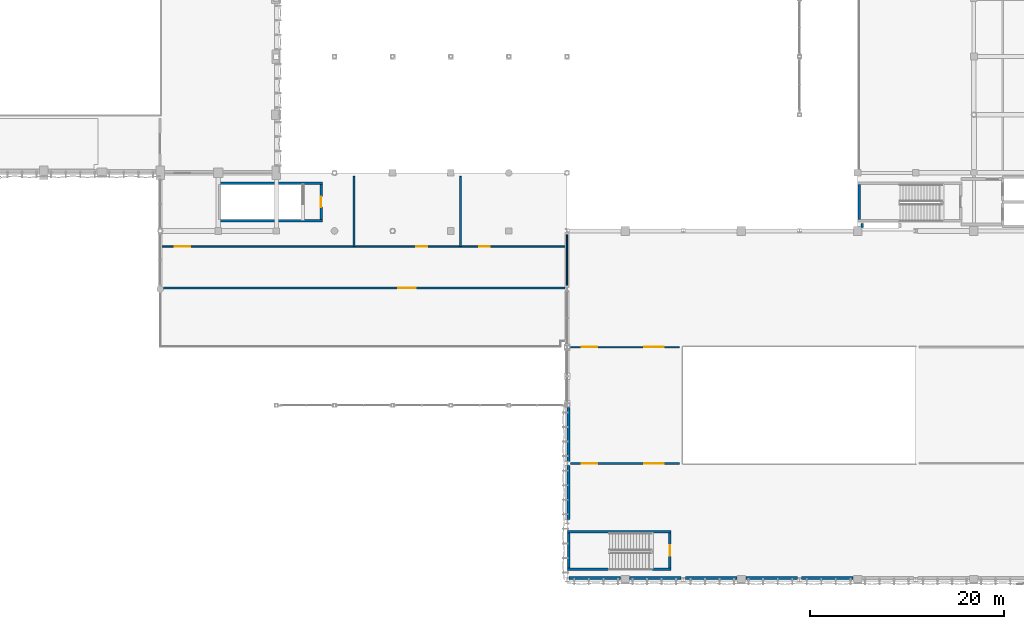
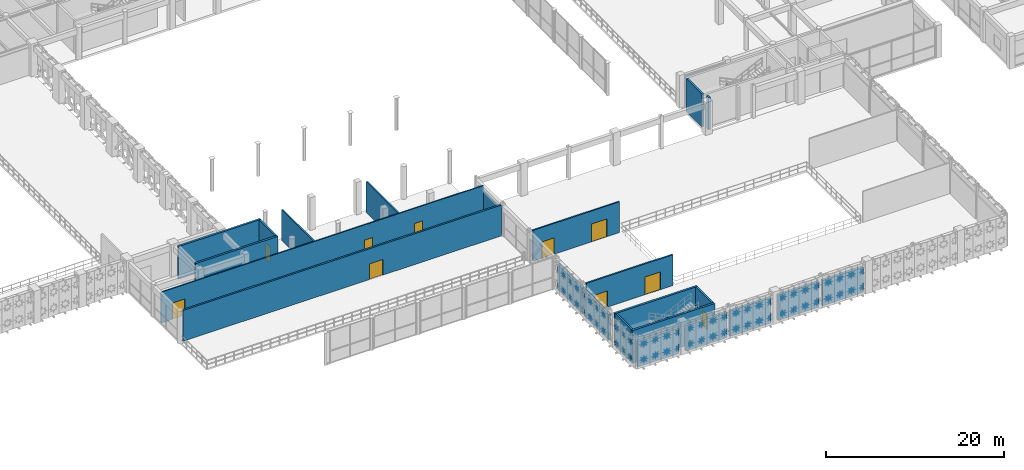
# One storey, part 88 of 116: 23 walls, 10 doors, 10 openings.
"""IFC4 building model written with IfcOpenShell, lengths in metres."""

import ifcopenshell
import ifcopenshell.guid

model = None  # the IFC model being written
_history = None  # IfcOwnerHistory: only IFC2X3 demands one
_inside = {}  # id of a spatial element -> (the spatial element, [elements in it])
_under = {}  # id of a project, library or spatial element -> (it, [spatial elements below it])
_declared = {}  # id of a project -> (the project, [libraries it declares])
_typed = {}  # id of a type object -> (the type object, [elements of that type])
_made_of = {}  # id of a material, layer set ... -> (it, [elements and type objects made of it])


def new_model(schema):
    """Start an empty IFC model of exactly this schema.

    Asked for "IFC4X3", IfcOpenShell would pick the latest addendum, in which some entities
    have other attributes; the version numbers below select the first issue.
    IFC2X3 requires an IfcOwnerHistory on every rooted entity: one is made here for all.
    """
    global model, _history
    if schema == "IFC4X3":
        model = ifcopenshell.file(schema_version=(4, 3, 0, 0))
    else:
        model = ifcopenshell.file(schema=schema)
    _inside.clear()
    _under.clear()
    _declared.clear()
    _typed.clear()
    _made_of.clear()
    _history = None
    if model.schema == "IFC2X3":
        org = make("IfcOrganization", Name="unknown")
        user = make(
            "IfcPersonAndOrganization",
            ThePerson=make("IfcPerson", FamilyName="unknown"),
            TheOrganization=org,
        )
        app = make(
            "IfcApplication",
            ApplicationDeveloper=org,
            Version="unknown",
            ApplicationFullName="unknown",
            ApplicationIdentifier="unknown",
        )
        _history = make(
            "IfcOwnerHistory",
            OwningUser=user,
            OwningApplication=app,
            ChangeAction="ADDED",
            CreationDate=0,
        )
    return model


def make(cls, **values):
    """One entity of the class cls with the attributes given. An attribute that is None is left unset."""
    return model.create_entity(
        cls, **{name: value for name, value in values.items() if value is not None}
    )


def rooted(cls, **values):
    """An entity with a GlobalId (a new one), such as an element, a storey or a relation."""
    return make(cls, GlobalId=ifcopenshell.guid.new(), OwnerHistory=_history, **values)


def si_unit(unit_type, name, prefix=None):
    """IfcSIUnit, for example si_unit("LENGTHUNIT", "METRE", prefix="MILLI")."""
    return make("IfcSIUnit", UnitType=unit_type, Prefix=prefix, Name=name)


def assignment(units):
    """IfcUnitAssignment: the units of a project."""
    return None if units is None else make("IfcUnitAssignment", Units=units)


def point(xyz):
    """IfcCartesianPoint."""
    return None if xyz is None else make("IfcCartesianPoint", Coordinates=xyz)


def direction(xyz):
    """IfcDirection."""
    return None if xyz is None else make("IfcDirection", DirectionRatios=xyz)


def frame(location, z_axis=None, x_axis=None):
    """IfcAxis2Placement3D, a coordinate frame: its origin and axes. An axis left out is left unset."""
    return make(
        "IfcAxis2Placement3D",
        Location=point(location),
        Axis=direction(z_axis),
        RefDirection=direction(x_axis),
    )


def frame_2d(location, x_axis=None):
    """IfcAxis2Placement2D, a coordinate frame in the plane: its origin and x axis."""
    return make(
        "IfcAxis2Placement2D", Location=point(location), RefDirection=direction(x_axis)
    )


def origin():
    """The frame at (0, 0, 0) with its axes left unset."""
    return frame((0.0, 0.0, 0.0))


def place(relative_to, where):
    """IfcLocalPlacement: puts the frame where relative to a parent placement (None: the world)."""
    return make(
        "IfcLocalPlacement", PlacementRelTo=relative_to, RelativePlacement=where
    )


def context(
    kind, dimensions, precision=None, world=None, true_north=None, identifier=None
):
    """IfcGeometricRepresentationContext, for example the 3D "Model" context."""
    return make(
        "IfcGeometricRepresentationContext",
        ContextIdentifier=identifier,
        ContextType=kind,
        CoordinateSpaceDimension=dimensions,
        Precision=precision,
        WorldCoordinateSystem=world,
        TrueNorth=true_north,
    )


def subcontext(parent, identifier, kind, view, scale=None):
    """IfcGeometricRepresentationSubContext, for example "Body" below "Model"."""
    return make(
        "IfcGeometricRepresentationSubContext",
        ContextIdentifier=identifier,
        ContextType=kind,
        ParentContext=parent,
        TargetScale=scale,
        TargetView=view,
    )


def project(units=None, contexts=None):
    """IfcProject with its units and contexts."""
    return rooted(
        "IfcProject",
        Name="project",
        RepresentationContexts=contexts,
        UnitsInContext=assignment(units),
    )


def spatial(cls, under=None, at=None, **own):
    """A site, building, storey or space (cls), placed at a placement, below another one or the project."""
    s = rooted(cls, ObjectPlacement=at, **own)
    if under is not None:
        _under.setdefault(under.id(), (under, []))[1].append(s)
    return s


def profile(cls, at=None, kind="AREA", **sizes):
    """A parametric profile (cls). Its sizes go by their IFC names, for example OverallWidth=200.0."""
    return make(cls, ProfileType=kind, Position=at, **sizes)


def rectangle(**sizes):
    """IfcRectangleProfileDef."""
    return profile("IfcRectangleProfileDef", **sizes)


def extrude(swept, where, along, depth):
    """IfcExtrudedAreaSolid: the profile swept, set in the frame where, extruded along a direction by depth."""
    return make(
        "IfcExtrudedAreaSolid",
        SweptArea=swept,
        Position=where,
        ExtrudedDirection=direction(along),
        Depth=depth,
    )


def shape(context_of_items, identifier, shape_type, items):
    """IfcShapeRepresentation: the items that make up one representation, for example the "Body"."""
    return make(
        "IfcShapeRepresentation",
        ContextOfItems=context_of_items,
        RepresentationIdentifier=identifier,
        RepresentationType=shape_type,
        Items=items,
    )


def material(Name=None, Category=None):
    """IfcMaterial."""
    return make("IfcMaterial", Name=Name, Category=Category)


def layer(
    of_material, thickness, ventilated=None, Name=None, Category=None, Priority=None
):
    """IfcMaterialLayer: one layer of a wall or slab, of a material (None: an air gap)."""
    return make(
        "IfcMaterialLayer",
        Material=of_material,
        LayerThickness=thickness,
        IsVentilated=ventilated,
        Name=Name,
        Category=Category,
        Priority=Priority,
    )


def layer_set(layers, Name=None):
    """IfcMaterialLayerSet."""
    return make("IfcMaterialLayerSet", MaterialLayers=layers, LayerSetName=Name)


def made_of(thing, what):
    """Note that an element or type object is made of a material, layer set ...; save() writes the relation."""
    if what is not None:
        _made_of.setdefault(what.id(), (what, []))[1].append(thing)
    return thing


def type_object(cls, material=None, **own):
    """A type object (cls), such as IfcWallType, which elements share."""
    return made_of(rooted(cls, **own), material)


def element(
    cls,
    number,
    at=None,
    inside=None,
    cuts=None,
    type_object=None,
    material=None,
    context=None,
    identifier="Body",
    shape_type=None,
    held_by="IfcProductDefinitionShape",
    body=None,
    shapes=None,
    **own,
):
    """One element of the class cls, such as IfcWall. Its Tag is "e" and its number.

    at: its placement. inside: the storey or other place that contains it. cuts: it is an
    opening in that element (IfcRelVoidsElement). A single representation is given by context,
    identifier, shape_type and body (its items); several are given by shapes. held_by: the class
    of the entity that holds the representations. save() writes the other relations.
    """
    e = rooted(cls, Tag="e%d" % number, ObjectPlacement=at, **own)
    if body is not None:
        shapes = [shape(context, identifier, shape_type, body)]
    if shapes is not None:
        e.Representation = make(held_by, Representations=shapes)
    if inside is not None:
        _inside.setdefault(inside.id(), (inside, []))[1].append(e)
    if cuts is not None:
        rooted(
            "IfcRelVoidsElement", RelatingBuildingElement=cuts, RelatedOpeningElement=e
        )
    if type_object is not None:
        _typed.setdefault(type_object.id(), (type_object, []))[1].append(e)
    return made_of(e, material)


def fill(opening, filler):
    """IfcRelFillsElement: the door or window that sits in an opening."""
    return rooted(
        "IfcRelFillsElement",
        RelatingOpeningElement=opening,
        RelatedBuildingElement=filler,
    )


def aggregate(whole, parts):
    """IfcRelAggregates: a whole, such as a stair, and the parts it consists of."""
    return rooted("IfcRelAggregates", RelatingObject=whole, RelatedObjects=parts)


def save(model, path):
    """Write the relations noted so far, then the file.

    IfcRelAggregates (storeys below a building ...), IfcRelContainedInSpatialStructure (elements
    in a storey), IfcRelDefinesByType, IfcRelAssociatesMaterial and IfcRelDeclares: one each for
    every whole, place, type object, material and project.
    """
    for whole, parts in _under.values():
        aggregate(whole, parts)
    for where, things in _inside.values():
        rooted(
            "IfcRelContainedInSpatialStructure",
            RelatedElements=things,
            RelatingStructure=where,
        )
    for kind, things in _typed.values():
        rooted("IfcRelDefinesByType", RelatedObjects=things, RelatingType=kind)
    for what, things in _made_of.values():
        rooted("IfcRelAssociatesMaterial", RelatedObjects=things, RelatingMaterial=what)
    for by, libraries in _declared.values():
        rooted("IfcRelDeclares", RelatingContext=by, RelatedDefinitions=libraries)
    model.write(path)


model = new_model("IFC4")

# Units and contexts
model_context = context("Model", 3, precision=1e-05, world=origin(), true_north=direction((0.0, 1.0)))
body_context = subcontext(model_context, "Body", "Model", "MODEL_VIEW")
ifc_project = project(units=[si_unit("LENGTHUNIT", "METRE"), si_unit("AREAUNIT", "SQUARE_METRE"), si_unit("VOLUMEUNIT", "CUBIC_METRE"), si_unit("PLANEANGLEUNIT", "RADIAN"), si_unit("MASSUNIT", "GRAM", prefix="KILO"), si_unit("THERMODYNAMICTEMPERATUREUNIT", "KELVIN"), si_unit("POWERUNIT", "WATT")], contexts=[model_context])

# Site, building, storey
site_placement = place(None, origin())
site = spatial("IfcSite", under=ifc_project, at=site_placement, CompositionType="ELEMENT")
building_placement = place(site_placement, origin())
building = spatial("IfcBuilding", under=site, at=building_placement, Name="Phaisarnlok Congress Hotel", CompositionType="ELEMENT")
storey_placement = place(building_placement, frame((0.0, 0.0, 10.5)))
storey = spatial("IfcBuildingStorey", under=building, at=storey_placement, Name="L02", CompositionType="ELEMENT", Elevation=10.5)

# Wall, opening, door
ifc_material_1 = material(Name="Concrete C40/50", Category="concrete")
ifc_layer_1 = layer(ifc_material_1, 0.22998046875, Name="Concrete C40/50")
ifc_layer_set_1 = layer_set([ifc_layer_1], Name="Concrete C40/50")
wall_type_1 = type_object("IfcWallType", Name="WL-EXT-230", PredefinedType="SOLIDWALL", material=ifc_layer_set_1)
wall_1_placement = place(storey_placement, frame((54.35498046875, 30.114990234375, 0.0), z_axis=(0.0, 0.0, 1.0), x_axis=(1.0, 0.0, 0.0)))
wall_1 = element("IfcWall", 1, at=wall_1_placement, inside=storey, type_object=wall_type_1, Name="Exterior wall EW-06 (L02)", PredefinedType="SOLIDWALL", context=body_context, shape_type="SweptSolid", body=[
    extrude(rectangle(XDim=41.43701171875, YDim=0.22998046875, at=frame_2d((20.718505859375, 0.0))), origin(), (0.0, 0.0, 1.0), 4.239990234375),
])
opening_1_placement = place(wall_1_placement, frame((24.2451171875, 0.0, 0.0)))
opening_1 = element("IfcOpeningElement", 2, at=opening_1_placement, cuts=wall_1, Name="Opening TD-04", PredefinedType="OPENING", context=body_context, shape_type="SweptSolid", body=[
    extrude(rectangle(XDim=1.800048828125, YDim=2.14990234375, at=frame_2d((0.89990234375, 1.074951171875))), frame((0.0, 0.125, 0.0), z_axis=(0.0, -1.0, 0.0), x_axis=(1.0, 0.0, 0.0)), (0.0, 0.0, 1.0), 0.25),
])
ifc_material_2 = material(Name="Powder-Coated Steel & Laminated Safety Glass", Category="steel")
door_type_1 = type_object("IfcDoorType", Name="DR-TER-1800", OperationType="DOUBLE_DOOR_SINGLE_SWING", PredefinedType="DOOR", material=ifc_material_2)
door_1_placement = place(opening_1_placement, frame((1.800048828125, 0.0, 0.0), z_axis=(0.0, 0.0, 1.0), x_axis=(-1.0, 0.0, 0.0)))
door_1 = element("IfcDoor", 3, at=door_1_placement, inside=storey, type_object=door_type_1, Name="Outdoor terrace door TD-04 (L02)", OperationType="SINGLE_SWING_LEFT", OverallHeight=2.14990234375, OverallWidth=1.800048828125, PredefinedType="DOOR", context=body_context, shape_type="SweptSolid", body=[
    extrude(rectangle(XDim=1.800048828125, YDim=2.14990234375, at=frame_2d((0.89990234375, 1.074951171875))), frame((0.0, 0.02490234375, 0.0), z_axis=(0.0, -1.0, 0.0), x_axis=(1.0, 0.0, 0.0)), (0.0, 0.0, 1.0), 0.050048828125),
])
fill(opening_1, door_1)

# Walls
ifc_layer_2 = layer(ifc_material_1, 0.320068359375, Name="Concrete C40/50")
ifc_layer_set_2 = layer_set([ifc_layer_2], Name="Concrete C40/50")
wall_type_2 = type_object("IfcWallType", Name="WL-EXT-320", PredefinedType="SOLIDWALL", material=ifc_layer_set_2)
for number, where, z_axis, x_axis, name in (
    (4, (96.159912109375, 17.787109375, 0.0), (0.0, 0.0, 1.0), (0.0, -1.0, 0.0), "Exterior wall EW-02 (L02)"),
    (5, (96.159912109375, 11.787109375, 0.0), (0.0, 0.0, 1.0), (0.0, -1.0, 0.0), "Exterior wall EW-02 (L02)"),
):
    element("IfcWall", number, at=place(storey_placement, frame(where, z_axis=z_axis, x_axis=x_axis)), inside=storey, type_object=wall_type_2, Name=name, PredefinedType="SOLIDWALL", context=body_context, shape_type="SweptSolid", body=[
        extrude(rectangle(XDim=5.57421875, YDim=0.320068359375, at=frame_2d((2.787109375, 0.0))), origin(), (0.0, 0.0, 1.0), 3.489990234375),
    ])
for number, where, z_axis, x_axis, name in (
    (6, (96.2080078125, 0.159912109375, 0.0), (0.0, 0.0, 1.0), (1.0, 0.0, 0.0), "Exterior wall EW-02 (L02)"),
    (7, (102.455078125, 0.159912109375, 0.0), (0.0, 0.0, 1.0), (1.0, 0.0, 0.0), "Exterior wall EW-02 (L02)"),
    (8, (108.2080078125, 0.159912109375, 0.0), (0.0, 0.0, 1.0), (1.0, 0.0, 0.0), "Exterior wall EW-02 (L02)"),
    (9, (114.455078125, 0.159912109375, 0.0), (0.0, 0.0, 1.0), (1.0, 0.0, 0.0), "Exterior wall EW-02 (L02)"),
    (10, (120.2080078125, 0.159912109375, 0.0), (0.0, 0.0, 1.0), (1.0, 0.0, 0.0), "Exterior wall EW-02 (L02)"),
):
    element("IfcWall", number, at=place(storey_placement, frame(where, z_axis=z_axis, x_axis=x_axis)), inside=storey, type_object=wall_type_2, Name=name, PredefinedType="SOLIDWALL", context=body_context, shape_type="SweptSolid", body=[
        extrude(rectangle(XDim=5.3369140625, YDim=0.320068359375, at=frame_2d((2.66845703125, 0.0))), origin(), (0.0, 0.0, 1.0), 3.489990234375),
    ])
ifc_material_3 = material(Name="Lightweight Metal-Stud Gypsum Partition", Category="gypsum")
ifc_layer_3 = layer(ifc_material_3, 0.1201171875, Name="Lightweight Metal-Stud Gypsum Partition")
ifc_layer_set_3 = layer_set([ifc_layer_3], Name="Lightweight Metal-Stud Gypsum Partition")
wall_type_3 = type_object("IfcWallType", Name="WL-INT-120", PredefinedType="PARTITIONING", material=ifc_layer_set_3)
wall_2_placement = place(storey_placement, frame((96.0, 30.3701171875, 0.0), z_axis=(0.0, 0.0, 1.0), x_axis=(0.0, 1.0, 0.0)))
element("IfcWall", 11, at=wall_2_placement, inside=storey, type_object=wall_type_3, Name="Interior partition wall IW-07 (L02)", PredefinedType="PARTITIONING", context=body_context, shape_type="SweptSolid", body=[
    extrude(rectangle(XDim=5.259765625, YDim=0.1201171875, at=frame_2d((2.6298828125, 0.0))), origin(), (0.0, 0.0, 1.0), 3.489990234375),
])

# Wall, openings, doors
ifc_material_4 = material(Name="Acoustic Gypsum Board & Mineral Wool", Category="gypsum")
ifc_layer_4 = layer(ifc_material_4, 0.14990234375, Name="Acoustic Gypsum Board & Mineral Wool")
ifc_layer_set_4 = layer_set([ifc_layer_4], Name="Acoustic Gypsum Board & Mineral Wool")
wall_type_4 = type_object("IfcWallType", Name="WL-INT-150", PredefinedType="PARTITIONING", material=ifc_layer_set_4)
wall_3_placement = place(storey_placement, frame((54.044921875, 34.39990234375, 0.0), z_axis=(0.0, 0.0, 1.0), x_axis=(1.0, 0.0, 0.0)))
wall_3 = element("IfcWall", 12, at=wall_3_placement, inside=storey, type_object=wall_type_4, Name="Interior partition wall IW-05 (L02)", PredefinedType="PARTITIONING", context=body_context, shape_type="SweptSolid", body=[
    extrude(rectangle(XDim=41.955078125, YDim=0.14990234375, at=frame_2d((20.9775390625, 0.0))), origin(), (0.0, 0.0, 1.0), 4.239990234375),
])
opening_2_placement = place(wall_3_placement, frame((26.405029296875, 0.0, 0.0)))
opening_2 = element("IfcOpeningElement", 13, at=opening_2_placement, cuts=wall_3, Name="Opening D-0089", PredefinedType="OPENING", context=body_context, shape_type="SweptSolid", body=[
    extrude(rectangle(XDim=1.10009765625, YDim=2.14990234375, at=frame_2d((0.550048828125, 1.074951171875))), frame((0.0, 0.0849609375, 0.0), z_axis=(0.0, -1.0, 0.0), x_axis=(1.0, 0.0, 0.0)), (0.0, 0.0, 1.0), 0.169921875),
])
opening_3_placement = place(wall_3_placement, frame((32.905029296875, 0.0, 0.0)))
opening_3 = element("IfcOpeningElement", 14, at=opening_3_placement, cuts=wall_3, Name="Opening D-0090", PredefinedType="OPENING", context=body_context, shape_type="SweptSolid", body=[
    extrude(rectangle(XDim=1.10009765625, YDim=2.14990234375, at=frame_2d((0.550048828125, 1.074951171875))), frame((0.0, 0.0849609375, 0.0), z_axis=(0.0, -1.0, 0.0), x_axis=(1.0, 0.0, 0.0)), (0.0, 0.0, 1.0), 0.169921875),
])
opening_4_placement = place(wall_3_placement, frame((1.47509765625, 0.0, 0.0)))
opening_4 = element("IfcOpeningElement", 15, at=opening_4_placement, cuts=wall_3, Name="Opening D-0106", PredefinedType="OPENING", context=body_context, shape_type="SweptSolid", body=[
    extrude(rectangle(XDim=1.60009765625, YDim=2.25, at=frame_2d((0.800048828125, 1.125))), frame((0.0, 0.0849609375, 0.0), z_axis=(0.0, -1.0, 0.0), x_axis=(1.0, 0.0, 0.0)), (0.0, 0.0, 1.0), 0.169921875),
])
ifc_material_5 = material(Name="Fire-Rated Steel Frame & Timber Leaf", Category="steel")
door_type_2 = type_object("IfcDoorType", Name="DR-FD60-1100", OperationType="NOTDEFINED", PredefinedType="DOOR", material=ifc_material_5)
door_2_placement = place(opening_2_placement, origin())
door_2 = element("IfcDoor", 16, at=door_2_placement, inside=storey, type_object=door_type_2, Name="Interior door D-0089 (L02)", OperationType="SINGLE_SWING_LEFT", OverallHeight=2.14990234375, OverallWidth=1.10009765625, PredefinedType="DOOR", context=body_context, shape_type="SweptSolid", body=[
    extrude(rectangle(XDim=1.10009765625, YDim=2.14990234375, at=frame_2d((0.550048828125, 1.074951171875))), frame((0.0, 0.02490234375, 0.0), z_axis=(0.0, -1.0, 0.0), x_axis=(1.0, 0.0, 0.0)), (0.0, 0.0, 1.0), 0.050048828125),
])
fill(opening_2, door_2)
door_3_placement = place(opening_3_placement, origin())
door_3 = element("IfcDoor", 17, at=door_3_placement, inside=storey, type_object=door_type_2, Name="Interior door D-0090 (L02)", OperationType="SINGLE_SWING_RIGHT", OverallHeight=2.14990234375, OverallWidth=1.10009765625, PredefinedType="DOOR", context=body_context, shape_type="SweptSolid", body=[
    extrude(rectangle(XDim=1.10009765625, YDim=2.14990234375, at=frame_2d((0.550048828125, 1.074951171875))), frame((0.0, 0.02490234375, 0.0), z_axis=(0.0, -1.0, 0.0), x_axis=(1.0, 0.0, 0.0)), (0.0, 0.0, 1.0), 0.050048828125),
])
fill(opening_3, door_3)
ifc_material_6 = material(Name="Frameless Tempered Acoustic Glass", Category="glass")
door_type_3 = type_object("IfcDoorType", Name="DR-GLZ-1600", OperationType="DOUBLE_DOOR_SINGLE_SWING", PredefinedType="DOOR", material=ifc_material_6)
door_4_placement = place(opening_4_placement, origin())
door_4 = element("IfcDoor", 18, at=door_4_placement, inside=storey, type_object=door_type_3, Name="Interior door D-0106 (L02)", OperationType="DOUBLE_DOOR_SINGLE_SWING", OverallHeight=2.25, OverallWidth=1.60009765625, PredefinedType="DOOR", context=body_context, shape_type="SweptSolid", body=[
    extrude(rectangle(XDim=1.60009765625, YDim=2.25, at=frame_2d((0.800048828125, 1.125))), frame((0.0, 0.02490234375, 0.0), z_axis=(0.0, -1.0, 0.0), x_axis=(1.0, 0.0, 0.0)), (0.0, 0.0, 1.0), 0.050048828125),
])
fill(opening_4, door_4)

# Walls
ifc_material_7 = material(Name="Autoclaved Aerated Concrete Block", Category="concrete")
ifc_layer_5 = layer(ifc_material_7, 0.179931640625, Name="Autoclaved Aerated Concrete Block")
ifc_layer_set_5 = layer_set([ifc_layer_5], Name="Autoclaved Aerated Concrete Block")
wall_type_5 = type_object("IfcWallType", Name="WL-INT-180", PredefinedType="PARTITIONING", material=ifc_layer_set_5)
for number, where, z_axis, x_axis, name in (
    (19, (74.0, 34.39990234375, 0.0), (0.0, 0.0, 1.0), (0.0, 1.0, 0.0), "Interior partition wall IW-03 (L02)"),
    (20, (85.0, 34.39990234375, 0.0), (0.0, 0.0, 1.0), (0.0, 1.0, 0.0), "Interior partition wall IW-03 (L02)"),
):
    element("IfcWall", number, at=place(storey_placement, frame(where, z_axis=z_axis, x_axis=x_axis)), inside=storey, type_object=wall_type_5, Name=name, PredefinedType="PARTITIONING", context=body_context, shape_type="SweptSolid", body=[
        extrude(rectangle(XDim=7.22998046875, YDim=0.179931640625, at=frame_2d((3.614990234375, 0.0))), origin(), (0.0, 0.0, 1.0), 4.239990234375),
    ])

# Wall, openings, doors
wall_4_placement = place(storey_placement, frame((96.3701171875, 24.0, 0.0), z_axis=(0.0, 0.0, 1.0), x_axis=(1.0, 0.0, 0.0)))
wall_4 = element("IfcWall", 21, at=wall_4_placement, inside=storey, type_object=wall_type_5, Name="Interior partition wall IW-03 (L02)", PredefinedType="PARTITIONING", context=body_context, shape_type="SweptSolid", body=[
    extrude(rectangle(XDim=11.259765625, YDim=0.179931640625, at=frame_2d((5.6298828125, 0.0))), origin(), (0.0, 0.0, 1.0), 4.239990234375),
])
opening_5_placement = place(wall_4_placement, frame((7.6298828125, 0.0, 0.0)))
opening_5 = element("IfcOpeningElement", 22, at=opening_5_placement, cuts=wall_4, Name="Opening D-0087", PredefinedType="OPENING", context=body_context, shape_type="SweptSolid", body=[
    extrude(rectangle(XDim=2.0, YDim=2.449951171875, at=frame_2d((1.0, 1.22509765625))), frame((0.0, 0.10009765625, 0.0), z_axis=(0.0, -1.0, 0.0), x_axis=(1.0, 0.0, 0.0)), (0.0, 0.0, 1.0), 0.199951171875),
])
opening_6_placement = place(wall_4_placement, frame((1.14990234375, 0.0, 0.0)))
opening_6 = element("IfcOpeningElement", 23, at=opening_6_placement, cuts=wall_4, Name="Opening D-0105", PredefinedType="OPENING", context=body_context, shape_type="SweptSolid", body=[
    extrude(rectangle(XDim=1.60009765625, YDim=2.25, at=frame_2d((0.800048828125, 1.125))), frame((0.0, 0.10009765625, 0.0), z_axis=(0.0, -1.0, 0.0), x_axis=(1.0, 0.0, 0.0)), (0.0, 0.0, 1.0), 0.199951171875),
])
door_5_placement = place(opening_6_placement, origin())
door_5 = element("IfcDoor", 24, at=door_5_placement, inside=storey, type_object=door_type_3, Name="Interior door D-0105 (L02)", OperationType="DOUBLE_DOOR_SINGLE_SWING", OverallHeight=2.25, OverallWidth=1.60009765625, PredefinedType="DOOR", context=body_context, shape_type="SweptSolid", body=[
    extrude(rectangle(XDim=1.60009765625, YDim=2.25, at=frame_2d((0.800048828125, 1.125))), frame((0.0, 0.02490234375, 0.0), z_axis=(0.0, -1.0, 0.0), x_axis=(1.0, 0.0, 0.0)), (0.0, 0.0, 1.0), 0.050048828125),
])
fill(opening_6, door_5)
ifc_material_8 = material(Name="Acoustic Double-Seal Congress Door", Category="wood")
door_type_4 = type_object("IfcDoorType", Name="DR-HALL-2000", OperationType="DOUBLE_DOOR_SINGLE_SWING", PredefinedType="DOOR", material=ifc_material_8)
door_6_placement = place(opening_5_placement, origin())
door_6 = element("IfcDoor", 25, at=door_6_placement, inside=storey, type_object=door_type_4, Name="Interior door D-0087 (L02)", OperationType="DOUBLE_DOOR_SINGLE_SWING", OverallHeight=2.449951171875, OverallWidth=2.0, PredefinedType="DOOR", context=body_context, shape_type="SweptSolid", body=[
    extrude(rectangle(XDim=2.0, YDim=2.449951171875, at=frame_2d((1.0, 1.22509765625))), frame((0.0, 0.02490234375, 0.0), z_axis=(0.0, -1.0, 0.0), x_axis=(1.0, 0.0, 0.0)), (0.0, 0.0, 1.0), 0.050048828125),
])
fill(opening_5, door_6)

ifc_layer_6 = layer(ifc_material_7, 0.199951171875, Name="Autoclaved Aerated Concrete Block")
ifc_layer_set_6 = layer_set([ifc_layer_6], Name="Autoclaved Aerated Concrete Block")
wall_type_6 = type_object("IfcWallType", Name="WL-INT-200", PredefinedType="PARTITIONING", material=ifc_layer_set_6)
wall_5_placement = place(storey_placement, frame((96.3701171875, 12.0, 0.0), z_axis=(0.0, 0.0, 1.0), x_axis=(1.0, 0.0, 0.0)))
wall_5 = element("IfcWall", 26, at=wall_5_placement, inside=storey, type_object=wall_type_6, Name="Interior partition wall IW-02 (L02)", PredefinedType="PARTITIONING", context=body_context, shape_type="SweptSolid", body=[
    extrude(rectangle(XDim=11.259765625, YDim=0.199951171875, at=frame_2d((5.6298828125, 0.0))), origin(), (0.0, 0.0, 1.0), 4.239990234375),
])
opening_7_placement = place(wall_5_placement, frame((7.6298828125, 0.0, 0.0)))
opening_7 = element("IfcOpeningElement", 27, at=opening_7_placement, cuts=wall_5, Name="Opening D-0086", PredefinedType="OPENING", context=body_context, shape_type="SweptSolid", body=[
    extrude(rectangle(XDim=2.0, YDim=2.449951171875, at=frame_2d((1.0, 1.22509765625))), frame((0.0, 0.10986328125, 0.0), z_axis=(0.0, -1.0, 0.0), x_axis=(1.0, 0.0, 0.0)), (0.0, 0.0, 1.0), 0.219970703125),
])
opening_8_placement = place(wall_5_placement, frame((1.14990234375, 0.0, 0.0)))
opening_8 = element("IfcOpeningElement", 28, at=opening_8_placement, cuts=wall_5, Name="Opening D-0104", PredefinedType="OPENING", context=body_context, shape_type="SweptSolid", body=[
    extrude(rectangle(XDim=1.60009765625, YDim=2.25, at=frame_2d((0.800048828125, 1.125))), frame((0.0, 0.10986328125, 0.0), z_axis=(0.0, -1.0, 0.0), x_axis=(1.0, 0.0, 0.0)), (0.0, 0.0, 1.0), 0.219970703125),
])
door_7_placement = place(opening_8_placement, origin())
door_7 = element("IfcDoor", 29, at=door_7_placement, inside=storey, type_object=door_type_3, Name="Interior door D-0104 (L02)", OperationType="DOUBLE_DOOR_SINGLE_SWING", OverallHeight=2.25, OverallWidth=1.60009765625, PredefinedType="DOOR", context=body_context, shape_type="SweptSolid", body=[
    extrude(rectangle(XDim=1.60009765625, YDim=2.25, at=frame_2d((0.800048828125, 1.125))), frame((0.0, 0.02490234375, 0.0), z_axis=(0.0, -1.0, 0.0), x_axis=(1.0, 0.0, 0.0)), (0.0, 0.0, 1.0), 0.050048828125),
])
fill(opening_8, door_7)
door_8_placement = place(opening_7_placement, origin())
door_8 = element("IfcDoor", 30, at=door_8_placement, inside=storey, type_object=door_type_4, Name="Interior door D-0086 (L02)", OperationType="DOUBLE_DOOR_SINGLE_SWING", OverallHeight=2.449951171875, OverallWidth=2.0, PredefinedType="DOOR", context=body_context, shape_type="SweptSolid", body=[
    extrude(rectangle(XDim=2.0, YDim=2.449951171875, at=frame_2d((1.0, 1.22509765625))), frame((0.0, 0.02490234375, 0.0), z_axis=(0.0, -1.0, 0.0), x_axis=(1.0, 0.0, 0.0)), (0.0, 0.0, 1.0), 0.050048828125),
])
fill(opening_7, door_8)

# Walls
ifc_material_9 = material(Name="Concrete C50/60", Category="concrete")
ifc_layer_7 = layer(ifc_material_9, 0.260009765625, Name="Concrete C50/60")
ifc_layer_set_7 = layer_set([ifc_layer_7], Name="Concrete C50/60")
wall_type_7 = type_object("IfcWallType", Name="WL-SHR-260", PredefinedType="SHEAR", material=ifc_layer_set_7)
wall_6_placement = place(storey_placement, frame((126.169921875, 37.199951171875, 0.0), z_axis=(0.0, 0.0, 1.0), x_axis=(0.0, 1.0, 0.0)))
element("IfcWall", 31, at=wall_6_placement, inside=storey, type_object=wall_type_7, Name="Stair shaft shear wall SW-04 (CORE-6 L02)", PredefinedType="SHEAR", context=body_context, shape_type="SweptSolid", body=[
    extrude(rectangle(XDim=3.60009765625, YDim=0.260009765625, at=frame_2d((1.800048828125, 0.0))), origin(), (0.0, 0.0, 1.0), 4.5),
])
wall_7_placement = place(storey_placement, frame((126.469970703125, 36.330078125, 0.0), z_axis=(0.0, 0.0, 1.0), x_axis=(0.0, 1.0, 0.0)))
element("IfcWall", 32, at=wall_7_placement, inside=storey, type_object=wall_type_7, Name="Service riser shaft wall SW-04 (CORE-6 L02)", PredefinedType="SHEAR", context=body_context, shape_type="SweptSolid", body=[
    extrude(rectangle(XDim=0.43994140625, YDim=0.260009765625, at=frame_2d((0.219970703125, 0.0))), origin(), (0.0, 0.0, 1.0), 4.5),
])
for number, where, z_axis, x_axis, name in (
    (33, (60.0400390625, 37.070068359375, 0.0), (0.0, 0.0, 1.0), (1.0, 0.0, 0.0), "Stair shaft shear wall SW-04 (STAIR-POD-S L02)"),
    (34, (60.0400390625, 40.929931640625, 0.0), (0.0, 0.0, 1.0), (1.0, 0.0, 0.0), "Stair shaft shear wall SW-04 (STAIR-POD-S L02)"),
):
    element("IfcWall", number, at=place(storey_placement, frame(where, z_axis=z_axis, x_axis=x_axis)), inside=storey, type_object=wall_type_7, Name=name, PredefinedType="SHEAR", context=body_context, shape_type="SweptSolid", body=[
        extrude(rectangle(XDim=10.719970703125, YDim=0.260009765625, at=frame_2d((5.35986328125, 0.0))), origin(), (0.0, 0.0, 1.0), 4.5),
    ])

# Wall, opening, door
wall_8_placement = place(storey_placement, frame((70.6298828125, 37.199951171875, 0.0), z_axis=(0.0, 0.0, 1.0), x_axis=(0.0, 1.0, 0.0)))
wall_8 = element("IfcWall", 35, at=wall_8_placement, inside=storey, type_object=wall_type_7, Name="Stair shaft shear wall SW-04 (STAIR-POD-S L02)", PredefinedType="SHEAR", context=body_context, shape_type="SweptSolid", body=[
    extrude(rectangle(XDim=3.60009765625, YDim=0.260009765625, at=frame_2d((1.800048828125, 0.0))), origin(), (0.0, 0.0, 1.0), 4.5),
])
opening_9_placement = place(wall_8_placement, frame((1.25, 0.0, 0.0)))
opening_9 = element("IfcOpeningElement", 36, at=opening_9_placement, cuts=wall_8, Name="Opening FD-158", PredefinedType="OPENING", context=body_context, shape_type="SweptSolid", body=[
    extrude(rectangle(XDim=1.10009765625, YDim=2.14990234375, at=frame_2d((0.550048828125, 1.074951171875))), frame((0.0, 0.14013671875, 0.0), z_axis=(0.0, -1.0, 0.0), x_axis=(1.0, 0.0, 0.0)), (0.0, 0.0, 1.0), 0.280029296875),
])
door_9_placement = place(opening_9_placement, origin())
door_9 = element("IfcDoor", 37, at=door_9_placement, inside=storey, type_object=door_type_2, Name="Stair enclosure fire door FD-158 (L02)", OperationType="SINGLE_SWING_LEFT", OverallHeight=2.14990234375, OverallWidth=1.10009765625, PredefinedType="DOOR", context=body_context, shape_type="SweptSolid", body=[
    extrude(rectangle(XDim=1.10009765625, YDim=2.14990234375, at=frame_2d((0.550048828125, 1.074951171875))), frame((0.0, 0.02490234375, 0.0), z_axis=(0.0, -1.0, 0.0), x_axis=(1.0, 0.0, 0.0)), (0.0, 0.0, 1.0), 0.050048828125),
])
fill(opening_9, door_9)

# Walls
for number, where, z_axis, x_axis, name in (
    (38, (96.0400390625, 1.070068359375, 0.0), (0.0, 0.0, 1.0), (1.0, 0.0, 0.0), "Stair shaft shear wall SW-04 (STAIR-S L02)"),
    (39, (96.0400390625, 4.929931640625, 0.0), (0.0, 0.0, 1.0), (1.0, 0.0, 0.0), "Stair shaft shear wall SW-04 (STAIR-S L02)"),
):
    element("IfcWall", number, at=place(storey_placement, frame(where, z_axis=z_axis, x_axis=x_axis)), inside=storey, type_object=wall_type_7, Name=name, PredefinedType="SHEAR", context=body_context, shape_type="SweptSolid", body=[
        extrude(rectangle(XDim=10.719970703125, YDim=0.260009765625, at=frame_2d((5.35986328125, 0.0))), origin(), (0.0, 0.0, 1.0), 4.5),
    ])

# Wall, opening, door
wall_9_placement = place(storey_placement, frame((106.6298828125, 1.199951171875, 0.0), z_axis=(0.0, 0.0, 1.0), x_axis=(0.0, 1.0, 0.0)))
wall_9 = element("IfcWall", 40, at=wall_9_placement, inside=storey, type_object=wall_type_7, Name="Stair shaft shear wall SW-04 (STAIR-S L02)", PredefinedType="SHEAR", context=body_context, shape_type="SweptSolid", body=[
    extrude(rectangle(XDim=3.60009765625, YDim=0.260009765625, at=frame_2d((1.800048828125, 0.0))), origin(), (0.0, 0.0, 1.0), 4.5),
])
opening_10_placement = place(wall_9_placement, frame((1.25, 0.0, 0.0)))
opening_10 = element("IfcOpeningElement", 41, at=opening_10_placement, cuts=wall_9, Name="Opening FD-173", PredefinedType="OPENING", context=body_context, shape_type="SweptSolid", body=[
    extrude(rectangle(XDim=1.10009765625, YDim=2.14990234375, at=frame_2d((0.550048828125, 1.074951171875))), frame((0.0, 0.14013671875, 0.0), z_axis=(0.0, -1.0, 0.0), x_axis=(1.0, 0.0, 0.0)), (0.0, 0.0, 1.0), 0.280029296875),
])
door_10_placement = place(opening_10_placement, origin())
door_10 = element("IfcDoor", 42, at=door_10_placement, inside=storey, type_object=door_type_2, Name="Stair enclosure fire door FD-173 (L02)", OperationType="SINGLE_SWING_RIGHT", OverallHeight=2.14990234375, OverallWidth=1.10009765625, PredefinedType="DOOR", context=body_context, shape_type="SweptSolid", body=[
    extrude(rectangle(XDim=1.10009765625, YDim=2.14990234375, at=frame_2d((0.550048828125, 1.074951171875))), frame((0.0, 0.02490234375, 0.0), z_axis=(0.0, -1.0, 0.0), x_axis=(1.0, 0.0, 0.0)), (0.0, 0.0, 1.0), 0.050048828125),
])
fill(opening_10, door_10)

# Wall
ifc_layer_8 = layer(ifc_material_9, 0.260009765625, Name="Concrete C50/60")
ifc_layer_set_8 = layer_set([ifc_layer_8], Name="Concrete C50/60")
wall_type_8 = type_object("IfcWallType", Name="WL-SHR-260-EXT", PredefinedType="SHEAR", material=ifc_layer_set_8)
wall_10_placement = place(storey_placement, frame((96.169921875, 1.199951171875, 0.0), z_axis=(0.0, 0.0, 1.0), x_axis=(0.0, 1.0, 0.0)))
element("IfcWall", 43, at=wall_10_placement, inside=storey, type_object=wall_type_8, Name="Stair shaft shear wall SW-04E (STAIR-S L02)", PredefinedType="SHEAR", context=body_context, shape_type="SweptSolid", body=[
    extrude(rectangle(XDim=3.60009765625, YDim=0.260009765625, at=frame_2d((1.800048828125, 0.0))), origin(), (0.0, 0.0, 1.0), 4.5),
])

save(model, "model.ifc")
